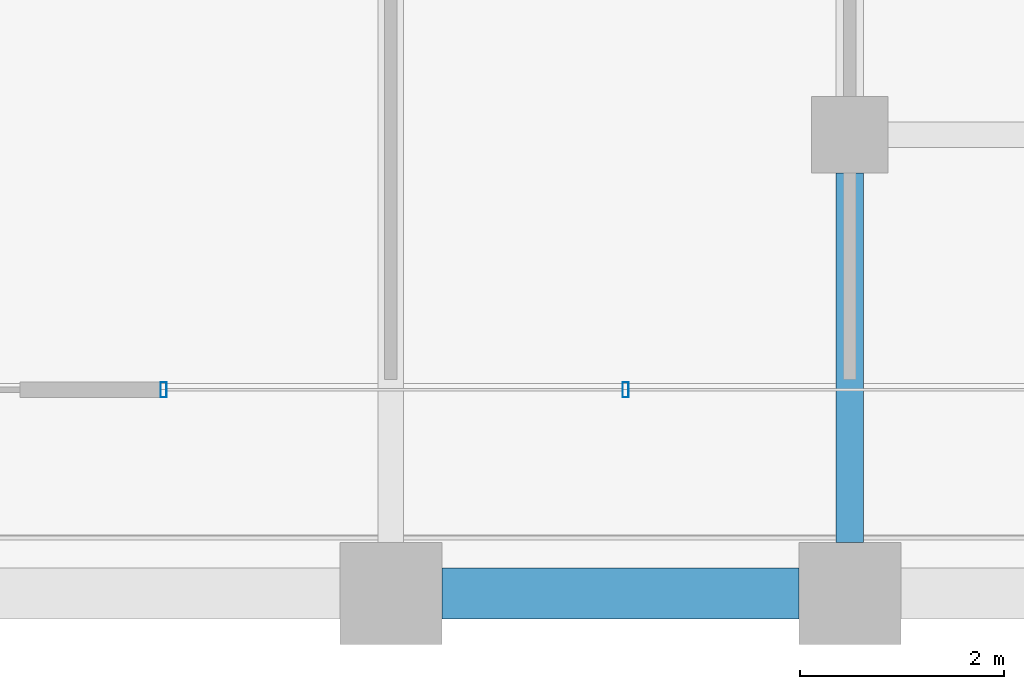
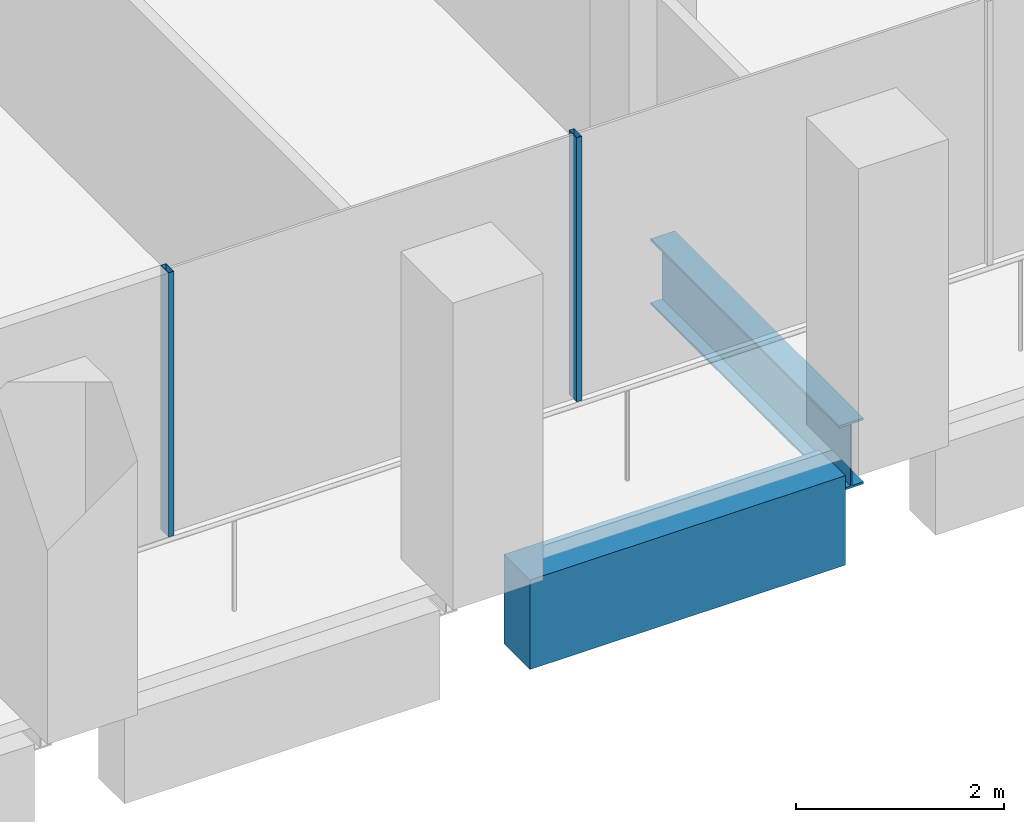
# One storey, part 9 of 47: 2 beams, 2 members, 1 element without a shape of its own.
"""IFC4 building model written with IfcOpenShell, lengths in metres."""

from ifc_helpers import new_model, si_unit, direction, frame, origin, origin_2d, place, context, subcontext, project, spatial, rectangle, hollow_rectangle, i_section, extrude, material, material_profile, profile_set, type_object, element, aggregate, save


model = new_model("IFC4")

# Units and contexts
model_context = context("Model", 3, precision=1e-05, world=origin(), true_north=direction((0.0, 1.0)))
body_context = subcontext(model_context, "Body", "Model", "MODEL_VIEW")
ifc_project = project(units=[si_unit("LENGTHUNIT", "METRE"), si_unit("AREAUNIT", "SQUARE_METRE"), si_unit("VOLUMEUNIT", "CUBIC_METRE"), si_unit("PLANEANGLEUNIT", "RADIAN"), si_unit("MASSUNIT", "GRAM", prefix="KILO")], contexts=[model_context])

# Site, building, storey
site_placement = place(None, origin())
site = spatial("IfcSite", under=ifc_project, at=site_placement, CompositionType="ELEMENT")
building_placement = place(site_placement, origin())
building = spatial("IfcBuilding", under=site, at=building_placement, Name="Altepetl Exchange Towers", CompositionType="ELEMENT")
storey_placement = place(building_placement, frame((0.0, 0.0, 99.199951171875)))
storey = spatial("IfcBuildingStorey", under=building, at=storey_placement, Name="L24", CompositionType="ELEMENT", Elevation=99.199951171875)

# Beam
ifc_material_1 = material(Name="Steel S355", Category="steel")
ifc_material_profile_1 = material_profile(ifc_material_1, i_section(OverallWidth=0.26806640625, OverallDepth=0.77392578125, WebThickness=0.015380859375, FlangeThickness=0.025390625, at=origin_2d()), Name="W30X132")
ifc_profile_set_1 = profile_set([ifc_material_profile_1], Name="Steel S355")
beam_type_1 = type_object("IfcBeamType", Name="Girder W30X132", PredefinedType="BEAM", material=ifc_profile_set_1)
beam_1_placement = place(storey_placement, frame((58.5, 31.125, -0.536865234375), z_axis=(0.0, -1.0, 0.0), x_axis=(1.0, 0.0, 0.0)))
element("IfcBeam", 1, at=beam_1_placement, inside=storey, type_object=beam_type_1, Name="gd:A:L24:005", PredefinedType="BEAM", context=body_context, shape_type="SweptSolid", body=[
    extrude(i_section(OverallWidth=0.26806640625, OverallDepth=0.77392578125, WebThickness=0.015380859375, FlangeThickness=0.025390625, at=origin_2d()), origin(), (0.0, 0.0, 1.0), 3.625),
])

# Curtain wall, members
ifc_material_2 = material(Name="Aluminium 6063-T6 glazing", Category="aluminium")
curtain_wall_type = type_object("IfcCurtainWallType", Name="Loggia glazing system", PredefinedType="NOTDEFINED", material=ifc_material_2)
curtain_wall_placement = place(storey_placement, origin())
curtain_wall = element("IfcCurtainWall", 2, at=curtain_wall_placement, inside=storey, type_object=curtain_wall_type, Name="CW1 run", PredefinedType="NOTDEFINED")
ifc_material_3 = material(Name="Aluminium 6063-T6", Category="aluminium")
ifc_material_profile_2 = material_profile(ifc_material_3, hollow_rectangle(XDim=0.06005859375, YDim=0.14990234375, WallThickness=0.0029296875, at=origin_2d()), Name="Mullion 60x150 aluminium")
ifc_profile_set_2 = profile_set([ifc_material_profile_2], Name="Aluminium 6063-T6")
member_type = type_object("IfcMemberType", Name="Mullion 60x150 aluminium", PredefinedType="MULLION", material=ifc_profile_set_2)
member_1_placement = place(storey_placement, frame((51.77294921875, 29.0, 0.0)))
member_1 = element("IfcMember", 3, at=member_1_placement, type_object=member_type, Name="MU1 mullion", PredefinedType="MULLION", context=body_context, shape_type="SweptSolid", body=[
    extrude(hollow_rectangle(XDim=0.06005859375, YDim=0.14990234375, WallThickness=0.0029296875, at=origin_2d()), origin(), (0.0, 0.0, 1.0), 3.10009765625),
])
member_2_placement = place(storey_placement, frame((56.303466796875, 29.0, 0.0)))
member_2 = element("IfcMember", 4, at=member_2_placement, type_object=member_type, Name="MU1 mullion", PredefinedType="MULLION", context=body_context, shape_type="SweptSolid", body=[
    extrude(hollow_rectangle(XDim=0.06005859375, YDim=0.14990234375, WallThickness=0.0029296875, at=origin_2d()), origin(), (0.0, 0.0, 1.0), 3.10009765625),
])
aggregate(curtain_wall, [member_1, member_2])

# Beam
ifc_material_4 = material(Name="Concrete C50/60 precast with cantera blanca facing", Category="concrete")
ifc_material_profile_3 = material_profile(ifc_material_4, rectangle(XDim=0.5, YDim=1.050048828125, at=origin_2d()), Name="500 x 1050")
ifc_profile_set_3 = profile_set([ifc_material_profile_3], Name="Concrete C50/60 precast with cantera blanca facing")
beam_type_2 = type_object("IfcBeamType", Name="Spandrel beam 500x1050 cantera blanca", PredefinedType="SPANDREL", material=ifc_profile_set_3)
beam_2_placement = place(storey_placement, frame((54.5, 27.0, -0.675048828125), z_axis=(1.0, 0.0, 0.0), x_axis=(0.0, 1.0, 0.0)))
element("IfcBeam", 5, at=beam_2_placement, inside=storey, type_object=beam_type_2, Name="sp:A:L24:005", PredefinedType="SPANDREL", context=body_context, shape_type="SweptSolid", body=[
    extrude(rectangle(XDim=0.5, YDim=1.050048828125, at=origin_2d()), origin(), (0.0, 0.0, 1.0), 3.5),
])

save(model, "model.ifc")
